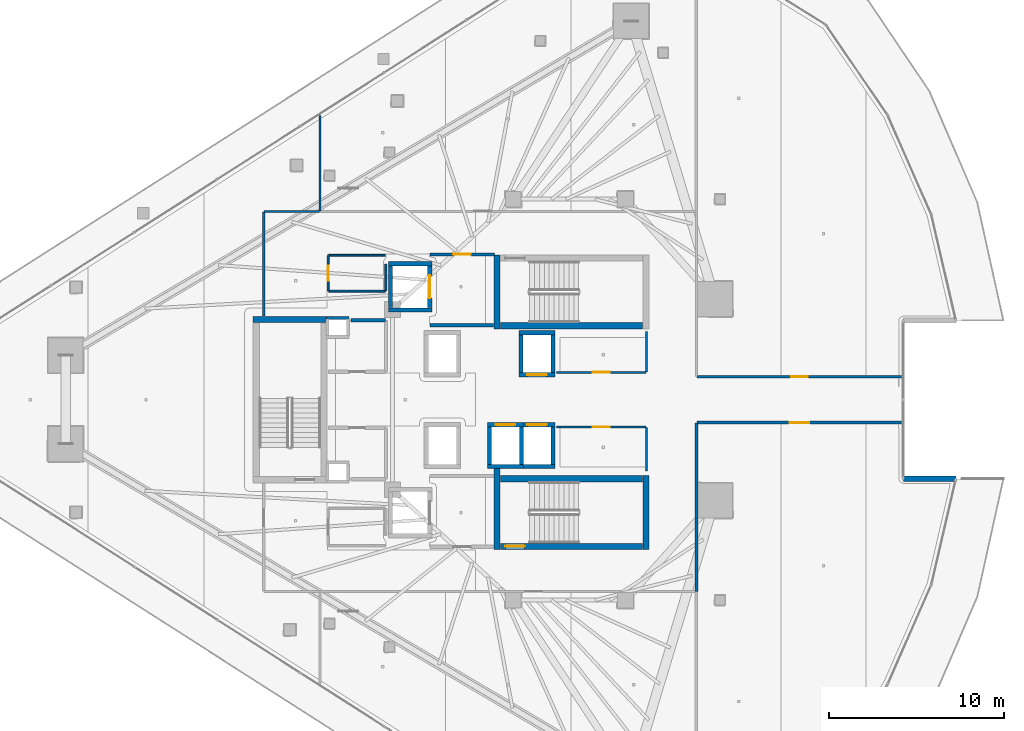
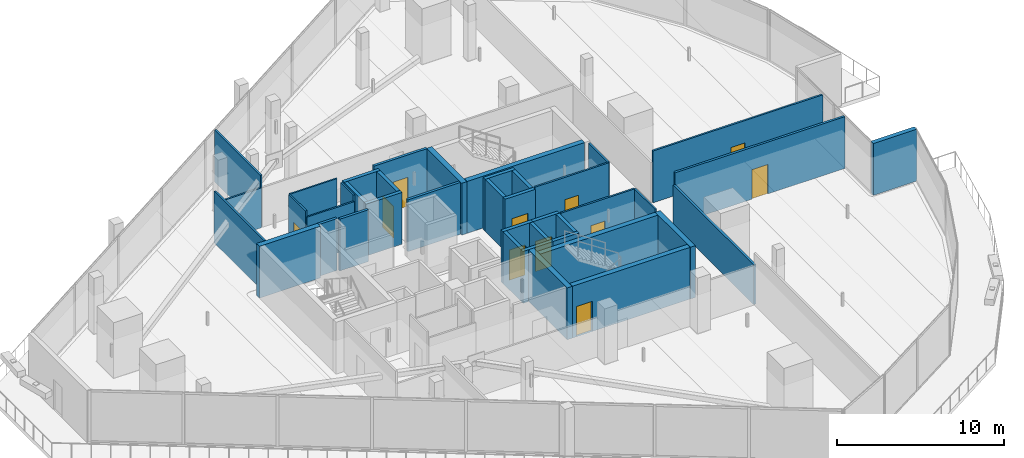
# One storey, part 28 of 39: 41 walls, 11 doors, 11 openings.
"""IFC4 building model written with IfcOpenShell, lengths in metres."""

from ifc_helpers import new_model, si_unit, direction, frame, frame_2d, origin, place, context, subcontext, project, spatial, rectangle, extrude, material, layer, layer_set, type_object, element, fill, save


model = new_model("IFC4")

# Units and contexts
model_context = context("Model", 3, precision=1e-05, world=origin(), true_north=direction((0.0, 1.0)))
body_context = subcontext(model_context, "Body", "Model", "MODEL_VIEW")
ifc_project = project(units=[si_unit("LENGTHUNIT", "METRE"), si_unit("AREAUNIT", "SQUARE_METRE"), si_unit("VOLUMEUNIT", "CUBIC_METRE"), si_unit("PLANEANGLEUNIT", "RADIAN"), si_unit("MASSUNIT", "GRAM", prefix="KILO")], contexts=[model_context])

# Site, building, storey
site_placement = place(None, origin())
site = spatial("IfcSite", under=ifc_project, at=site_placement, CompositionType="ELEMENT")
building_placement = place(site_placement, origin())
building = spatial("IfcBuilding", under=site, at=building_placement, Name="Qorvath Tower", CompositionType="ELEMENT")
storey_placement = place(building_placement, frame((0.0, 0.0, 201.0)))
storey = spatial("IfcBuildingStorey", under=building, at=storey_placement, Name="L46", CompositionType="ELEMENT", Elevation=201.0)

# Walls
ifc_material_1 = material(Name="Gypsum shaftliner on steel studs", Category="steel")
ifc_layer_1 = layer(ifc_material_1, 0.179931640625)
ifc_layer_set_1 = layer_set([ifc_layer_1], Name="FW-LOBBY")
wall_type_1 = type_object("IfcWallType", Name="FW-LOBBY", PredefinedType="PARTITIONING", material=ifc_layer_set_1)
wall_1_placement = place(storey_placement, frame((-34.260009765625, 4.675048828125, 0.0), z_axis=(0.0, 0.0, 1.0), x_axis=(1.0, 0.0, 0.0)))
element("IfcWall", 1, at=wall_1_placement, inside=storey, type_object=wall_type_1, Name="MEP Riser Shaft Enclosure Wall N-L46-N", PredefinedType="PARTITIONING", context=body_context, shape_type="SweptSolid", body=[
    extrude(rectangle(XDim=1.27001953125, YDim=0.179931640625, at=frame_2d((0.635009765625, 0.0))), origin(), (0.0, 0.0, 1.0), 3.780029296875),
])
wall_2_placement = place(storey_placement, frame((-28.35498046875, 4.25, 0.0), z_axis=(0.0, 0.0, 1.0), x_axis=(1.0, 0.0, 0.0)))
element("IfcWall", 2, at=wall_2_placement, inside=storey, type_object=wall_type_1, Name="Interior Partition IW-T1-L46-001", PredefinedType="PARTITIONING", context=body_context, shape_type="SweptSolid", body=[
    extrude(rectangle(XDim=3.6220703125, YDim=0.179931640625, at=frame_2d((1.81103515625, 0.0))), origin(), (0.0, 0.0, 1.0), 3.780029296875),
])

# Wall, opening, door
wall_3_placement = place(storey_placement, frame((-24.68408203125, 8.300048828125, 0.0), z_axis=(0.0, 0.0, 1.0), x_axis=(-1.0, 0.0, 0.0)))
wall_3 = element("IfcWall", 3, at=wall_3_placement, inside=storey, type_object=wall_type_1, Name="Interior Partition IW-T1-L46-002", PredefinedType="PARTITIONING", context=body_context, shape_type="SweptSolid", body=[
    extrude(rectangle(XDim=3.6708984375, YDim=0.179931640625, at=frame_2d((1.83544921875, 0.0))), origin(), (0.0, 0.0, 1.0), 3.780029296875),
])
opening_1_placement = place(wall_3_placement, frame((1.33544921875, 0.0, 0.0)))
opening_1 = element("IfcOpeningElement", 4, at=opening_1_placement, cuts=wall_3, Name="Opening D-T1-L46-12", PredefinedType="OPENING", context=body_context, shape_type="SweptSolid", body=[
    extrude(rectangle(XDim=1.0, YDim=2.14990234375, at=frame_2d((0.5, 1.074951171875))), frame((0.0, 0.10009765625, 0.0), z_axis=(0.0, -1.0, 0.0), x_axis=(1.0, 0.0, 0.0)), (0.0, 0.0, 1.0), 0.199951171875),
])
ifc_material_2 = material(Name="Painted galvanised hollow metal", Category="steel")
door_type_1 = type_object("IfcDoorType", Name="FD-60", OperationType="NOTDEFINED", PredefinedType="DOOR", material=ifc_material_2)
door_1_placement = place(opening_1_placement, origin())
door_1 = element("IfcDoor", 5, at=door_1_placement, inside=storey, type_object=door_type_1, Name="Lobby Fire Service Elevator North Door D-T1-L46-12", OperationType="SINGLE_SWING_LEFT", OverallHeight=2.14990234375, OverallWidth=1.0, PredefinedType="DOOR", context=body_context, shape_type="SweptSolid", body=[
    extrude(rectangle(XDim=1.0, YDim=2.14990234375, at=frame_2d((0.5, 1.074951171875))), frame((0.0, 0.02490234375, 0.0), z_axis=(0.0, -1.0, 0.0), x_axis=(1.0, 0.0, 0.0)), (0.0, 0.0, 1.0), 0.050048828125),
])
fill(opening_1, door_1)

# Wall
wall_4_placement = place(storey_placement, frame((-30.90478515625, 4.5400390625, 0.0), z_axis=(0.0, 0.0, 1.0), x_axis=(-1.0, 0.0, 0.0)))
element("IfcWall", 6, at=wall_4_placement, inside=storey, type_object=wall_type_1, Name="Interior Partition IW-T1-L46-019", PredefinedType="PARTITIONING", context=body_context, shape_type="SweptSolid", body=[
    extrude(rectangle(XDim=1.97509765625, YDim=0.179931640625, at=frame_2d((0.987548828125, 0.0))), origin(), (0.0, 0.0, 1.0), 3.780029296875),
])

# Wall, opening, door
ifc_material_3 = material(Name="Double acoustic gypsum board on steel studs", Category="steel")
ifc_layer_2 = layer(ifc_material_3, 0.159912109375)
ifc_layer_set_2 = layer_set([ifc_layer_2], Name="IW-ACOUSTIC-160")
wall_type_2 = type_object("IfcWallType", Name="IW-ACOUSTIC-160", PredefinedType="PARTITIONING", material=ifc_layer_set_2)
wall_5_placement = place(storey_placement, frame((-1.4091796875, -1.30810546875, 0.0), z_axis=(0.0, 0.0, 1.0), x_axis=(-1.0, 0.0, 0.0)))
wall_5 = element("IfcWall", 7, at=wall_5_placement, inside=storey, type_object=wall_type_2, Name="Interior Partition IW-T1-L46-035", PredefinedType="PARTITIONING", context=body_context, shape_type="SweptSolid", body=[
    extrude(rectangle(XDim=11.7080078125, YDim=0.159912109375, at=frame_2d((5.85400390625, 0.0))), origin(), (0.0, 0.0, 1.0), 3.780029296875),
])
opening_2_placement = place(wall_5_placement, frame((5.303955078125, 0.0, 0.0)))
opening_2 = element("IfcOpeningElement", 8, at=opening_2_placement, cuts=wall_5, Name="Opening D-T1-L46-11", PredefinedType="OPENING", context=body_context, shape_type="SweptSolid", body=[
    extrude(rectangle(XDim=1.10009765625, YDim=2.14990234375, at=frame_2d((0.550048828125, 1.074951171875))), frame((0.0, 0.08984375, 0.0), z_axis=(0.0, -1.0, 0.0), x_axis=(1.0, 0.0, 0.0)), (0.0, 0.0, 1.0), 0.179931640625),
])
ifc_material_4 = material(Name="Anodised aluminium acoustic framed glass", Category="aluminium")
door_type_2 = type_object("IfcDoorType", Name="D-03", OperationType="NOTDEFINED", PredefinedType="DOOR", material=ifc_material_4)
door_2_placement = place(opening_2_placement, origin())
door_2 = element("IfcDoor", 9, at=door_2_placement, inside=storey, type_object=door_type_2, Name="L46-05 Client Services Office Door D-T1-L46-11", OperationType="SINGLE_SWING_RIGHT", OverallHeight=2.14990234375, OverallWidth=1.10009765625, PredefinedType="DOOR", context=body_context, shape_type="SweptSolid", body=[
    extrude(rectangle(XDim=1.10009765625, YDim=2.14990234375, at=frame_2d((0.550048828125, 1.074951171875))), frame((0.0, 0.02490234375, 0.0), z_axis=(0.0, -1.0, 0.0), x_axis=(1.0, 0.0, 0.0)), (0.0, 0.0, 1.0), 0.050048828125),
])
fill(opening_2, door_2)

# Wall
wall_6_placement = place(storey_placement, frame((-13.14208984375, -1.3330078125, 0.0), z_axis=(0.0, 0.0, 1.0), x_axis=(0.0, -1.0, 0.0)))
element("IfcWall", 10, at=wall_6_placement, inside=storey, type_object=wall_type_2, Name="Interior Partition IW-T1-L46-036", PredefinedType="PARTITIONING", context=body_context, shape_type="SweptSolid", body=[
    extrude(rectangle(XDim=9.625, YDim=0.159912109375, at=frame_2d((4.8125, 0.0))), origin(), (0.0, 0.0, 1.0), 2.89990234375),
])

# Wall, opening, door
ifc_material_5 = material(Name="Gypsum board on metal studs with mineral wool", Category="gypsum")
ifc_layer_3 = layer(ifc_material_5, 0.125)
ifc_layer_set_3 = layer_set([ifc_layer_3], Name="IW-PART-125")
wall_type_3 = type_object("IfcWallType", Name="IW-PART-125", PredefinedType="PARTITIONING", material=ifc_layer_set_3)
wall_7_placement = place(storey_placement, frame((-21.1337890625, 1.56005859375, 0.0), z_axis=(0.0, 0.0, 1.0), x_axis=(1.0, 0.0, 0.0)))
wall_7 = element("IfcWall", 11, at=wall_7_placement, inside=storey, type_object=wall_type_3, Name="Interior Partition IW-T1-L46-013", PredefinedType="PARTITIONING", context=body_context, shape_type="SweptSolid", body=[
    extrude(rectangle(XDim=5.10888671875, YDim=0.125, at=frame_2d((2.554443359375, 0.0))), origin(), (0.0, 0.0, 1.0), 3.780029296875),
])
opening_3_placement = place(wall_7_placement, frame((2.079345703125, 0.0, 0.0)))
opening_3 = element("IfcOpeningElement", 12, at=opening_3_placement, cuts=wall_7, Name="Opening D-T1-L46-03", PredefinedType="OPENING", context=body_context, shape_type="SweptSolid", body=[
    extrude(rectangle(XDim=0.949951171875, YDim=2.14990234375, at=frame_2d((0.47509765625, 1.074951171875))), frame((0.0, 0.072509765625, 0.0), z_axis=(0.0, -1.0, 0.0), x_axis=(1.0, 0.0, 0.0)), (0.0, 0.0, 1.0), 0.14501953125),
])
ifc_material_6 = material(Name="Solid-core American white oak veneer", Category="wood")
door_type_3 = type_object("IfcDoorType", Name="D-01", OperationType="NOTDEFINED", PredefinedType="DOOR", material=ifc_material_6)
door_3_placement = place(opening_3_placement, origin())
door_3 = element("IfcDoor", 13, at=door_3_placement, inside=storey, type_object=door_type_3, Name="L46-RCN North Quantitative Server Room Door D-T1-L46-03", OperationType="SINGLE_SWING_RIGHT", OverallHeight=2.14990234375, OverallWidth=0.949951171875, PredefinedType="DOOR", context=body_context, shape_type="SweptSolid", body=[
    extrude(rectangle(XDim=0.949951171875, YDim=2.14990234375, at=frame_2d((0.47509765625, 1.074951171875))), frame((0.0, 0.02490234375, 0.0), z_axis=(0.0, -1.0, 0.0), x_axis=(1.0, 0.0, 0.0)), (0.0, 0.0, 1.0), 0.050048828125),
])
fill(opening_3, door_3)

# Walls
wall_8_placement = place(storey_placement, frame((-16.0, 1.585205078125, 0.0), z_axis=(0.0, 0.0, 1.0), x_axis=(0.0, 1.0, 0.0)))
element("IfcWall", 14, at=wall_8_placement, inside=storey, type_object=wall_type_3, Name="Interior Partition IW-T1-L46-014", PredefinedType="PARTITIONING", context=body_context, shape_type="SweptSolid", body=[
    extrude(rectangle(XDim=2.30224609375, YDim=0.125, at=frame_2d((1.151123046875, 0.0))), origin(), (0.0, 0.0, 1.0), 3.780029296875),
])
wall_9_placement = place(storey_placement, frame((-16.0, -4.0751953125, 0.0), z_axis=(0.0, 0.0, 1.0), x_axis=(0.0, 1.0, 0.0)))
element("IfcWall", 15, at=wall_9_placement, inside=storey, type_object=wall_type_3, Name="Interior Partition IW-T1-L46-015", PredefinedType="PARTITIONING", context=body_context, shape_type="SweptSolid", body=[
    extrude(rectangle(XDim=2.489990234375, YDim=0.125, at=frame_2d((1.2451171875, 0.0))), origin(), (0.0, 0.0, 1.0), 3.780029296875),
])

# Wall, opening, door
wall_10_placement = place(storey_placement, frame((-16.02490234375, -1.56005859375, 0.0), z_axis=(0.0, 0.0, 1.0), x_axis=(-1.0, 0.0, 0.0)))
wall_10 = element("IfcWall", 16, at=wall_10_placement, inside=storey, type_object=wall_type_3, Name="Interior Partition IW-T1-L46-016", PredefinedType="PARTITIONING", context=body_context, shape_type="SweptSolid", body=[
    extrude(rectangle(XDim=5.10888671875, YDim=0.125, at=frame_2d((2.554443359375, 0.0))), origin(), (0.0, 0.0, 1.0), 3.780029296875),
])
opening_4_placement = place(wall_10_placement, frame((2.079345703125, 0.0, 0.0)))
opening_4 = element("IfcOpeningElement", 17, at=opening_4_placement, cuts=wall_10, Name="Opening D-T1-L46-04", PredefinedType="OPENING", context=body_context, shape_type="SweptSolid", body=[
    extrude(rectangle(XDim=0.949951171875, YDim=2.14990234375, at=frame_2d((0.47509765625, 1.074951171875))), frame((0.0, 0.072509765625, 0.0), z_axis=(0.0, -1.0, 0.0), x_axis=(1.0, 0.0, 0.0)), (0.0, 0.0, 1.0), 0.14501953125),
])
door_4_placement = place(opening_4_placement, origin())
door_4 = element("IfcDoor", 18, at=door_4_placement, inside=storey, type_object=door_type_3, Name="L46-RCS South Quantitative Server Room Door D-T1-L46-04", OperationType="SINGLE_SWING_LEFT", OverallHeight=2.14990234375, OverallWidth=0.949951171875, PredefinedType="DOOR", context=body_context, shape_type="SweptSolid", body=[
    extrude(rectangle(XDim=0.949951171875, YDim=2.14990234375, at=frame_2d((0.47509765625, 1.074951171875))), frame((0.0, 0.02490234375, 0.0), z_axis=(0.0, -1.0, 0.0), x_axis=(1.0, 0.0, 0.0)), (0.0, 0.0, 1.0), 0.050048828125),
])
fill(opening_4, door_4)

# Walls
wall_11_placement = place(storey_placement, frame((-37.85791015625, 4.783203125, 0.0), z_axis=(0.0, 0.0, 1.0), x_axis=(0.0, 1.0, 0.0)))
element("IfcWall", 19, at=wall_11_placement, inside=storey, type_object=wall_type_3, Name="Interior Partition IW-T1-L46-026", PredefinedType="PARTITIONING", context=body_context, shape_type="SweptSolid", body=[
    extrude(rectangle(XDim=5.949951171875, YDim=0.125, at=frame_2d((2.97509765625, 0.0))), origin(), (0.0, 0.0, 1.0), 3.780029296875),
])
wall_12_placement = place(storey_placement, frame((-34.6748046875, 10.758056640625, 0.0), z_axis=(0.0, 0.0, 1.0), x_axis=(-1.0, 0.0, 0.0)))
element("IfcWall", 20, at=wall_12_placement, inside=storey, type_object=wall_type_3, Name="Interior Partition IW-T1-L46-027", PredefinedType="PARTITIONING", context=body_context, shape_type="SweptSolid", body=[
    extrude(rectangle(XDim=3.158203125, YDim=0.125, at=frame_2d((1.5791015625, 0.0))), origin(), (0.0, 0.0, 1.0), 2.89990234375),
])
wall_13_placement = place(storey_placement, frame((-34.64990234375, 10.783203125, 0.0), z_axis=(0.0, 0.0, 1.0), x_axis=(0.0, 1.0, 0.0)))
element("IfcWall", 21, at=wall_13_placement, inside=storey, type_object=wall_type_3, Name="Interior Partition IW-T1-L46-028", PredefinedType="PARTITIONING", context=body_context, shape_type="SweptSolid", body=[
    extrude(rectangle(XDim=5.462890625, YDim=0.125, at=frame_2d((2.7314453125, 0.0))), origin(), (0.0, 0.0, 1.0), 3.780029296875),
])

# Wall, opening, door
wall_14_placement = place(storey_placement, frame((-13.1171875, 1.30810546875, 0.0), z_axis=(0.0, 0.0, 1.0), x_axis=(1.0, 0.0, 0.0)))
wall_14 = element("IfcWall", 22, at=wall_14_placement, inside=storey, type_object=wall_type_3, Name="Interior Partition IW-T1-L46-034", PredefinedType="PARTITIONING", context=body_context, shape_type="SweptSolid", body=[
    extrude(rectangle(XDim=11.7080078125, YDim=0.125, at=frame_2d((5.85400390625, 0.0))), origin(), (0.0, 0.0, 1.0), 3.780029296875),
])
opening_5_placement = place(wall_14_placement, frame((5.37890625, 0.0, 0.0)))
opening_5 = element("IfcOpeningElement", 23, at=opening_5_placement, cuts=wall_14, Name="Opening D-T1-L46-10", PredefinedType="OPENING", context=body_context, shape_type="SweptSolid", body=[
    extrude(rectangle(XDim=0.949951171875, YDim=2.14990234375, at=frame_2d((0.47509765625, 1.074951171875))), frame((0.0, 0.072509765625, 0.0), z_axis=(0.0, -1.0, 0.0), x_axis=(1.0, 0.0, 0.0)), (0.0, 0.0, 1.0), 0.14501953125),
])
door_5_placement = place(opening_5_placement, origin())
door_5 = element("IfcDoor", 24, at=door_5_placement, inside=storey, type_object=door_type_3, Name="L46-04 Design Pin-Up Atelier Door D-T1-L46-10", OperationType="SINGLE_SWING_LEFT", OverallHeight=2.14990234375, OverallWidth=0.949951171875, PredefinedType="DOOR", context=body_context, shape_type="SweptSolid", body=[
    extrude(rectangle(XDim=0.949951171875, YDim=2.14990234375, at=frame_2d((0.47509765625, 1.074951171875))), frame((0.0, 0.02490234375, 0.0), z_axis=(0.0, -1.0, 0.0), x_axis=(1.0, 0.0, 0.0)), (0.0, 0.0, 1.0), 0.050048828125),
])
fill(opening_5, door_5)

ifc_material_7 = material(Name="Moisture-resistant cement board on metal studs", Category="gypsum")
ifc_layer_4 = layer(ifc_material_7, 0.110107421875)
ifc_layer_set_4 = layer_set([ifc_layer_4], Name="IW-WC-110")
wall_type_4 = type_object("IfcWallType", Name="IW-WC-110", PredefinedType="PARTITIONING", material=ifc_layer_set_4)
wall_15_placement = place(storey_placement, frame((-34.179931640625, 8.22509765625, 0.0), z_axis=(0.0, 0.0, 1.0), x_axis=(0.0, -1.0, 0.0)))
wall_15 = element("IfcWall", 25, at=wall_15_placement, inside=storey, type_object=wall_type_4, Name="Interior Partition IW-T1-L46-005", PredefinedType="PARTITIONING", context=body_context, shape_type="SweptSolid", body=[
    extrude(rectangle(XDim=2.0, YDim=0.110107421875, at=frame_2d((1.0, 0.0))), origin(), (0.0, 0.0, 1.0), 3.780029296875),
])
opening_6_placement = place(wall_15_placement, frame((0.56005859375, 0.0, 0.0)))
opening_6 = element("IfcOpeningElement", 26, at=opening_6_placement, cuts=wall_15, Name="Opening D-T1-L46-01", PredefinedType="OPENING", context=body_context, shape_type="SweptSolid", body=[
    extrude(rectangle(XDim=0.8798828125, YDim=2.10009765625, at=frame_2d((0.43994140625, 1.050048828125))), frame((0.0, 0.06494140625, 0.0), z_axis=(0.0, -1.0, 0.0), x_axis=(1.0, 0.0, 0.0)), (0.0, 0.0, 1.0), 0.130126953125),
])
ifc_material_8 = material(Name="Solid-core oak with acoustic drop seal", Category="wood")
door_type_4 = type_object("IfcDoorType", Name="D-02", OperationType="NOTDEFINED", PredefinedType="DOOR", material=ifc_material_8)
door_6_placement = place(opening_6_placement, origin())
door_6 = element("IfcDoor", 27, at=door_6_placement, inside=storey, type_object=door_type_4, Name="WC All-Gender North L46 Door D-T1-L46-01", OperationType="SINGLE_SWING_RIGHT", OverallHeight=2.10009765625, OverallWidth=0.8798828125, PredefinedType="DOOR", context=body_context, shape_type="SweptSolid", body=[
    extrude(rectangle(XDim=0.8798828125, YDim=2.10009765625, at=frame_2d((0.43994140625, 1.050048828125))), frame((0.0, 0.02490234375, 0.0), z_axis=(0.0, -1.0, 0.0), x_axis=(1.0, 0.0, 0.0)), (0.0, 0.0, 1.0), 0.050048828125),
])
fill(opening_6, door_6)

# Walls
wall_16_placement = place(storey_placement, frame((-34.15478515625, 6.199951171875, 0.0), z_axis=(0.0, 0.0, 1.0), x_axis=(1.0, 0.0, 0.0)))
element("IfcWall", 28, at=wall_16_placement, inside=storey, type_object=wall_type_4, Name="Interior Partition IW-T1-L46-006", PredefinedType="PARTITIONING", context=body_context, shape_type="SweptSolid", body=[
    extrude(rectangle(XDim=3.25, YDim=0.110107421875, at=frame_2d((1.625, 0.0))), origin(), (0.0, 0.0, 1.0), 3.34375),
])
wall_17_placement = place(storey_placement, frame((-30.8798828125, 6.22509765625, 0.0), z_axis=(0.0, 0.0, 1.0), x_axis=(0.0, 1.0, 0.0)))
element("IfcWall", 29, at=wall_17_placement, inside=storey, type_object=wall_type_4, Name="Interior Partition IW-T1-L46-007", PredefinedType="PARTITIONING", context=body_context, shape_type="SweptSolid", body=[
    extrude(rectangle(XDim=1.517822265625, YDim=0.110107421875, at=frame_2d((0.7587890625, 0.0))), origin(), (0.0, 0.0, 1.0), 3.780029296875),
])
wall_18_placement = place(storey_placement, frame((-30.90478515625, 8.25, 0.0), z_axis=(0.0, 0.0, 1.0), x_axis=(-1.0, 0.0, 0.0)))
element("IfcWall", 30, at=wall_18_placement, inside=storey, type_object=wall_type_4, Name="Interior Partition IW-T1-L46-008", PredefinedType="PARTITIONING", context=body_context, shape_type="SweptSolid", body=[
    extrude(rectangle(XDim=3.25, YDim=0.110107421875, at=frame_2d((1.625, 0.0))), origin(), (0.0, 0.0, 1.0), 3.780029296875),
])
ifc_material_9 = material(Name="Concrete C60/75", Category="concrete")
ifc_layer_5 = layer(ifc_material_9, 0.260009765625)
ifc_layer_set_5 = layer_set([ifc_layer_5], Name="SW-SHAFT")
wall_type_5 = type_object("IfcWallType", Name="SW-SHAFT", PredefinedType="SHEAR", material=ifc_layer_set_5)
for number, where, z_axis, x_axis, name in (
    (31, (-28.260009765625, 5.1298828125, 0.0), (0.0, 0.0, 1.0), (-1.0, 0.0, 0.0), "Hoistway Wall FSAE-1 L46 S"),
    (32, (-30.739990234375, 7.77001953125, 0.0), (0.0, 0.0, 1.0), (1.0, 0.0, 0.0), "Hoistway Wall FSAE-1 L46 N"),
):
    element("IfcWall", number, at=place(storey_placement, frame(where, z_axis=z_axis, x_axis=x_axis)), inside=storey, type_object=wall_type_5, Name=name, PredefinedType="SHEAR", context=body_context, shape_type="SweptSolid", body=[
        extrude(rectangle(XDim=2.47998046875, YDim=0.239990234375, at=frame_2d((1.239990234375, 0.0))), origin(), (0.0, 0.0, 1.0), 3.780029296875),
    ])
wall_19_placement = place(storey_placement, frame((-30.6201171875, 5.261962890625, 0.0), z_axis=(0.0, 0.0, 1.0), x_axis=(0.0, 1.0, 0.0)))
element("IfcWall", 33, at=wall_19_placement, inside=storey, type_object=wall_type_5, Name="Hoistway Wall FSAE-1 L46 W", PredefinedType="SHEAR", context=body_context, shape_type="SweptSolid", body=[
    extrude(rectangle(XDim=2.3759765625, YDim=0.239990234375, at=frame_2d((1.18798828125, 0.0))), origin(), (0.0, 0.0, 1.0), 3.780029296875),
])

# Wall, opening, door
wall_20_placement = place(storey_placement, frame((-28.3798828125, 7.637939453125, 0.0), z_axis=(0.0, 0.0, 1.0), x_axis=(0.0, -1.0, 0.0)))
wall_20 = element("IfcWall", 34, at=wall_20_placement, inside=storey, type_object=wall_type_5, Name="Hoistway Wall FSAE-1 L46 E", PredefinedType="SHEAR", context=body_context, shape_type="SweptSolid", body=[
    extrude(rectangle(XDim=2.3759765625, YDim=0.239990234375, at=frame_2d((1.18798828125, 0.0))), origin(), (0.0, 0.0, 1.0), 3.780029296875),
])
opening_7_placement = place(wall_20_placement, frame((0.537841796875, 0.0, 0.0)))
opening_7 = element("IfcOpeningElement", 35, at=opening_7_placement, cuts=wall_20, Name="Opening LD-FSAE-1-L46", PredefinedType="OPENING", context=body_context, shape_type="SweptSolid", body=[
    extrude(rectangle(XDim=1.300048828125, YDim=2.300048828125, at=frame_2d((0.64990234375, 1.14990234375))), frame((0.0, 0.1298828125, 0.0), z_axis=(0.0, -1.0, 0.0), x_axis=(1.0, 0.0, 0.0)), (0.0, 0.0, 1.0), 0.260009765625),
])
ifc_material_10 = material(Name="Brushed stainless steel AISI 316", Category="steel")
door_type_5 = type_object("IfcDoorType", Name="LD-02", OperationType="NOTDEFINED", PredefinedType="DOOR", material=ifc_material_10)
door_7_placement = place(opening_7_placement, origin())
door_7 = element("IfcDoor", 36, at=door_7_placement, inside=storey, type_object=door_type_5, Name="Elevator Landing Sliding Door LD-FSAE-1-L46", OperationType="DOUBLE_DOOR_SLIDING", OverallHeight=2.300048828125, OverallWidth=1.300048828125, PredefinedType="DOOR", context=body_context, shape_type="SweptSolid", body=[
    extrude(rectangle(XDim=1.300048828125, YDim=2.300048828125, at=frame_2d((0.64990234375, 1.14990234375))), frame((0.0, 0.02490234375, 0.0), z_axis=(0.0, -1.0, 0.0), x_axis=(1.0, 0.0, 0.0)), (0.0, 0.0, 1.0), 0.050048828125),
])
fill(opening_7, door_7)

wall_21_placement = place(storey_placement, frame((-21.2099609375, 1.429931640625, 0.0), z_axis=(0.0, 0.0, 1.0), x_axis=(-1.0, 0.0, 0.0)))
wall_21 = element("IfcWall", 37, at=wall_21_placement, inside=storey, type_object=wall_type_5, Name="Hoistway Wall PU-1 L46 S", PredefinedType="SHEAR", context=body_context, shape_type="SweptSolid", body=[
    extrude(rectangle(XDim=2.080078125, YDim=0.239990234375, at=frame_2d((1.0400390625, 0.0))), origin(), (0.0, 0.0, 1.0), 3.780029296875),
])
opening_8_placement = place(wall_21_placement, frame((0.489990234375, 0.0, 0.0)))
opening_8 = element("IfcOpeningElement", 38, at=opening_8_placement, cuts=wall_21, Name="Opening LD-PU-1-L46", PredefinedType="OPENING", context=body_context, shape_type="SweptSolid", body=[
    extrude(rectangle(XDim=1.10009765625, YDim=2.199951171875, at=frame_2d((0.550048828125, 1.10009765625))), frame((0.0, 0.1298828125, 0.0), z_axis=(0.0, -1.0, 0.0), x_axis=(1.0, 0.0, 0.0)), (0.0, 0.0, 1.0), 0.260009765625),
])
ifc_material_11 = material(Name="Brushed stainless steel AISI 316", Category="steel")
door_type_6 = type_object("IfcDoorType", Name="LD-01", OperationType="NOTDEFINED", PredefinedType="DOOR", material=ifc_material_11)
door_8_placement = place(opening_8_placement, origin())
door_8 = element("IfcDoor", 39, at=door_8_placement, inside=storey, type_object=door_type_6, Name="Elevator Landing Sliding Door LD-PU-1-L46", OperationType="DOUBLE_DOOR_SLIDING", OverallHeight=2.199951171875, OverallWidth=1.10009765625, PredefinedType="DOOR", context=body_context, shape_type="SweptSolid", body=[
    extrude(rectangle(XDim=1.10009765625, YDim=2.199951171875, at=frame_2d((0.550048828125, 1.10009765625))), frame((0.0, 0.02490234375, 0.0), z_axis=(0.0, -1.0, 0.0), x_axis=(1.0, 0.0, 0.0)), (0.0, 0.0, 1.0), 0.050048828125),
])
fill(opening_8, door_8)

# Walls
wall_22_placement = place(storey_placement, frame((-23.2900390625, 3.820068359375, 0.0), z_axis=(0.0, 0.0, 1.0), x_axis=(1.0, 0.0, 0.0)))
element("IfcWall", 40, at=wall_22_placement, inside=storey, type_object=wall_type_5, Name="Hoistway Wall PU-1 L46 N", PredefinedType="SHEAR", context=body_context, shape_type="SweptSolid", body=[
    extrude(rectangle(XDim=2.080078125, YDim=0.239990234375, at=frame_2d((1.0400390625, 0.0))), origin(), (0.0, 0.0, 1.0), 3.780029296875),
])
for number, where, z_axis, x_axis, name in (
    (41, (-23.169921875, 1.56201171875, 0.0), (0.0, 0.0, 1.0), (0.0, 1.0, 0.0), "Hoistway Wall PU-1 L46 W"),
    (42, (-21.330078125, 3.68798828125, 0.0), (0.0, 0.0, 1.0), (0.0, -1.0, 0.0), "Hoistway Wall PU-1 L46 E"),
):
    element("IfcWall", number, at=place(storey_placement, frame(where, z_axis=z_axis, x_axis=x_axis)), inside=storey, type_object=wall_type_5, Name=name, PredefinedType="SHEAR", context=body_context, shape_type="SweptSolid", body=[
        extrude(rectangle(XDim=2.1259765625, YDim=0.239990234375, at=frame_2d((1.06298828125, 0.0))), origin(), (0.0, 0.0, 1.0), 3.780029296875),
    ])
wall_23_placement = place(storey_placement, frame((-23.010009765625, -3.820068359375, 0.0), z_axis=(0.0, 0.0, 1.0), x_axis=(-1.0, 0.0, 0.0)))
element("IfcWall", 43, at=wall_23_placement, inside=storey, type_object=wall_type_5, Name="Hoistway Wall PU-2 L46 S", PredefinedType="SHEAR", context=body_context, shape_type="SweptSolid", body=[
    extrude(rectangle(XDim=2.080078125, YDim=0.239990234375, at=frame_2d((1.0400390625, 0.0))), origin(), (0.0, 0.0, 1.0), 3.780029296875),
])

# Wall, opening, door
wall_24_placement = place(storey_placement, frame((-25.090087890625, -1.429931640625, 0.0), z_axis=(0.0, 0.0, 1.0), x_axis=(1.0, 0.0, 0.0)))
wall_24 = element("IfcWall", 44, at=wall_24_placement, inside=storey, type_object=wall_type_5, Name="Hoistway Wall PU-2 L46 N", PredefinedType="SHEAR", context=body_context, shape_type="SweptSolid", body=[
    extrude(rectangle(XDim=2.080078125, YDim=0.239990234375, at=frame_2d((1.0400390625, 0.0))), origin(), (0.0, 0.0, 1.0), 3.780029296875),
])
opening_9_placement = place(wall_24_placement, frame((0.489990234375, 0.0, 0.0)))
opening_9 = element("IfcOpeningElement", 45, at=opening_9_placement, cuts=wall_24, Name="Opening LD-PU-2-L46", PredefinedType="OPENING", context=body_context, shape_type="SweptSolid", body=[
    extrude(rectangle(XDim=1.10009765625, YDim=2.199951171875, at=frame_2d((0.550048828125, 1.10009765625))), frame((0.0, 0.1298828125, 0.0), z_axis=(0.0, -1.0, 0.0), x_axis=(1.0, 0.0, 0.0)), (0.0, 0.0, 1.0), 0.260009765625),
])
door_9_placement = place(opening_9_placement, origin())
door_9 = element("IfcDoor", 46, at=door_9_placement, inside=storey, type_object=door_type_6, Name="Elevator Landing Sliding Door LD-PU-2-L46", OperationType="DOUBLE_DOOR_SLIDING", OverallHeight=2.199951171875, OverallWidth=1.10009765625, PredefinedType="DOOR", context=body_context, shape_type="SweptSolid", body=[
    extrude(rectangle(XDim=1.10009765625, YDim=2.199951171875, at=frame_2d((0.550048828125, 1.10009765625))), frame((0.0, 0.02490234375, 0.0), z_axis=(0.0, -1.0, 0.0), x_axis=(1.0, 0.0, 0.0)), (0.0, 0.0, 1.0), 0.050048828125),
])
fill(opening_9, door_9)

# Walls
for number, where, z_axis, x_axis, name in (
    (47, (-24.969970703125, -3.68798828125, 0.0), (0.0, 0.0, 1.0), (0.0, 1.0, 0.0), "Hoistway Wall PU-2 L46 W"),
    (48, (-23.1298828125, -1.56201171875, 0.0), (0.0, 0.0, 1.0), (0.0, -1.0, 0.0), "Hoistway Wall PU-2 L46 E"),
):
    element("IfcWall", number, at=place(storey_placement, frame(where, z_axis=z_axis, x_axis=x_axis)), inside=storey, type_object=wall_type_5, Name=name, PredefinedType="SHEAR", context=body_context, shape_type="SweptSolid", body=[
        extrude(rectangle(XDim=2.1259765625, YDim=0.239990234375, at=frame_2d((1.06298828125, 0.0))), origin(), (0.0, 0.0, 1.0), 3.780029296875),
    ])
wall_25_placement = place(storey_placement, frame((-21.2099609375, -3.820068359375, 0.0), z_axis=(0.0, 0.0, 1.0), x_axis=(-1.0, 0.0, 0.0)))
element("IfcWall", 49, at=wall_25_placement, inside=storey, type_object=wall_type_5, Name="Hoistway Wall PU-3 L46 S", PredefinedType="SHEAR", context=body_context, shape_type="SweptSolid", body=[
    extrude(rectangle(XDim=1.800048828125, YDim=0.239990234375, at=frame_2d((0.89990234375, 0.0))), origin(), (0.0, 0.0, 1.0), 3.780029296875),
])

# Wall, opening, door
wall_26_placement = place(storey_placement, frame((-23.010009765625, -1.429931640625, 0.0), z_axis=(0.0, 0.0, 1.0), x_axis=(1.0, 0.0, 0.0)))
wall_26 = element("IfcWall", 50, at=wall_26_placement, inside=storey, type_object=wall_type_5, Name="Hoistway Wall PU-3 L46 N", PredefinedType="SHEAR", context=body_context, shape_type="SweptSolid", body=[
    extrude(rectangle(XDim=1.800048828125, YDim=0.239990234375, at=frame_2d((0.89990234375, 0.0))), origin(), (0.0, 0.0, 1.0), 3.780029296875),
])
opening_10_placement = place(wall_26_placement, frame((0.2099609375, 0.0, 0.0)))
opening_10 = element("IfcOpeningElement", 51, at=opening_10_placement, cuts=wall_26, Name="Opening LD-PU-3-L46", PredefinedType="OPENING", context=body_context, shape_type="SweptSolid", body=[
    extrude(rectangle(XDim=1.10009765625, YDim=2.199951171875, at=frame_2d((0.550048828125, 1.10009765625))), frame((0.0, 0.1298828125, 0.0), z_axis=(0.0, -1.0, 0.0), x_axis=(1.0, 0.0, 0.0)), (0.0, 0.0, 1.0), 0.260009765625),
])
door_10_placement = place(opening_10_placement, origin())
door_10 = element("IfcDoor", 52, at=door_10_placement, inside=storey, type_object=door_type_6, Name="Elevator Landing Sliding Door LD-PU-3-L46", OperationType="DOUBLE_DOOR_SLIDING", OverallHeight=2.199951171875, OverallWidth=1.10009765625, PredefinedType="DOOR", context=body_context, shape_type="SweptSolid", body=[
    extrude(rectangle(XDim=1.10009765625, YDim=2.199951171875, at=frame_2d((0.550048828125, 1.10009765625))), frame((0.0, 0.02490234375, 0.0), z_axis=(0.0, -1.0, 0.0), x_axis=(1.0, 0.0, 0.0)), (0.0, 0.0, 1.0), 0.050048828125),
])
fill(opening_10, door_10)

# Walls
wall_27_placement = place(storey_placement, frame((-21.330078125, -1.56201171875, 0.0), z_axis=(0.0, 0.0, 1.0), x_axis=(0.0, -1.0, 0.0)))
element("IfcWall", 53, at=wall_27_placement, inside=storey, type_object=wall_type_5, Name="Hoistway Wall PU-3 L46 E", PredefinedType="SHEAR", context=body_context, shape_type="SweptSolid", body=[
    extrude(rectangle(XDim=2.1259765625, YDim=0.239990234375, at=frame_2d((1.06298828125, 0.0))), origin(), (0.0, 0.0, 1.0), 3.780029296875),
])
ifc_material_12 = material(Name="Concrete C60/75", Category="concrete")
ifc_layer_6 = layer(ifc_material_12, 0.35009765625)
ifc_layer_set_6 = layer_set([ifc_layer_6], Name="SW-STAIR")
wall_type_6 = type_object("IfcWallType", Name="SW-STAIR", PredefinedType="SHEAR", material=ifc_layer_set_6)
wall_28_placement = place(storey_placement, frame((-24.52490234375, 8.260009765625, 0.0), z_axis=(0.0, 0.0, 1.0), x_axis=(0.0, -1.0, 0.0)))
element("IfcWall", 54, at=wall_28_placement, inside=storey, type_object=wall_type_6, Name="Stair TS1 Shear Wall L46 NEAR", PredefinedType="SHEAR", context=body_context, shape_type="SweptSolid", body=[
    extrude(rectangle(XDim=4.2099609375, YDim=0.35009765625, at=frame_2d((2.10498046875, 0.0))), origin(), (0.0, 0.0, 1.0), 3.780029296875),
])
wall_29_placement = place(storey_placement, frame((-24.3349609375, 4.22509765625, 0.0), z_axis=(0.0, 0.0, 1.0), x_axis=(1.0, 0.0, 0.0)))
element("IfcWall", 55, at=wall_29_placement, inside=storey, type_object=wall_type_6, Name="Stair TS1 Shear Wall L46 LEFT", PredefinedType="SHEAR", context=body_context, shape_type="SweptSolid", body=[
    extrude(rectangle(XDim=8.119873046875, YDim=0.35009765625, at=frame_2d((4.06005859375, 0.0))), origin(), (0.0, 0.0, 1.0), 3.780029296875),
])
wall_30_placement = place(storey_placement, frame((-24.52490234375, -3.93994140625, 0.0), z_axis=(0.0, 0.0, 1.0), x_axis=(0.0, -1.0, 0.0)))
element("IfcWall", 56, at=wall_30_placement, inside=storey, type_object=wall_type_6, Name="Stair TS2 Shear Wall L46 NEAR", PredefinedType="SHEAR", context=body_context, shape_type="SweptSolid", body=[
    extrude(rectangle(XDim=4.610107421875, YDim=0.35009765625, at=frame_2d((2.30517578125, 0.0))), origin(), (0.0, 0.0, 1.0), 3.780029296875),
])
wall_31_placement = place(storey_placement, frame((-16.02490234375, -8.550048828125, 0.0), z_axis=(0.0, 0.0, 1.0), x_axis=(0.0, 1.0, 0.0)))
element("IfcWall", 57, at=wall_31_placement, inside=storey, type_object=wall_type_6, Name="Stair TS2 Shear Wall L46 FAR", PredefinedType="SHEAR", context=body_context, shape_type="SweptSolid", body=[
    extrude(rectangle(XDim=4.2099609375, YDim=0.35009765625, at=frame_2d((2.10498046875, 0.0))), origin(), (0.0, 0.0, 1.0), 3.780029296875),
])

# Wall, opening, door
wall_32_placement = place(storey_placement, frame((-24.3349609375, -8.375, 0.0), z_axis=(0.0, 0.0, 1.0), x_axis=(1.0, 0.0, 0.0)))
wall_32 = element("IfcWall", 58, at=wall_32_placement, inside=storey, type_object=wall_type_6, Name="Stair TS2 Shear Wall L46 LEFT", PredefinedType="SHEAR", context=body_context, shape_type="SweptSolid", body=[
    extrude(rectangle(XDim=8.119873046875, YDim=0.35009765625, at=frame_2d((4.06005859375, 0.0))), origin(), (0.0, 0.0, 1.0), 3.780029296875),
])
opening_11_placement = place(wall_32_placement, frame((0.280029296875, 0.0, 0.0)))
opening_11 = element("IfcOpeningElement", 59, at=opening_11_placement, cuts=wall_32, Name="Opening D-TS2-L46", PredefinedType="OPENING", context=body_context, shape_type="SweptSolid", body=[
    extrude(rectangle(XDim=1.10009765625, YDim=2.199951171875, at=frame_2d((0.550048828125, 1.10009765625))), frame((0.0, 0.18505859375, 0.0), z_axis=(0.0, -1.0, 0.0), x_axis=(1.0, 0.0, 0.0)), (0.0, 0.0, 1.0), 0.3701171875),
])
ifc_material_13 = material(Name="Painted galvanised hollow metal", Category="steel")
door_type_7 = type_object("IfcDoorType", Name="FD-90", OperationType="NOTDEFINED", PredefinedType="DOOR", material=ifc_material_13)
door_11_placement = place(opening_11_placement, origin())
door_11 = element("IfcDoor", 60, at=door_11_placement, inside=storey, type_object=door_type_7, Name="Stair TS2 Fire Door L46", OperationType="SINGLE_SWING_LEFT", OverallHeight=2.199951171875, OverallWidth=1.10009765625, PredefinedType="DOOR", context=body_context, shape_type="SweptSolid", body=[
    extrude(rectangle(XDim=1.10009765625, YDim=2.199951171875, at=frame_2d((0.550048828125, 1.10009765625))), frame((0.0, 0.02490234375, 0.0), z_axis=(0.0, -1.0, 0.0), x_axis=(1.0, 0.0, 0.0)), (0.0, 0.0, 1.0), 0.050048828125),
])
fill(opening_11, door_11)

# Walls
wall_33_placement = place(storey_placement, frame((-16.215087890625, -4.514892578125, 0.0), z_axis=(0.0, 0.0, 1.0), x_axis=(-1.0, 0.0, 0.0)))
element("IfcWall", 61, at=wall_33_placement, inside=storey, type_object=wall_type_6, Name="Stair TS2 Shear Wall L46 RIGHT", PredefinedType="SHEAR", context=body_context, shape_type="SweptSolid", body=[
    extrude(rectangle(XDim=8.119873046875, YDim=0.35009765625, at=frame_2d((4.06005859375, 0.0))), origin(), (0.0, 0.0, 1.0), 3.780029296875),
])
wall_34_placement = place(storey_placement, frame((-34.25, 4.574951171875, 0.0), z_axis=(0.0, 0.0, 1.0), x_axis=(-1.0, 0.0, 0.0)))
element("IfcWall", 62, at=wall_34_placement, inside=storey, type_object=wall_type_6, Name="Stair TS3 Shear Wall L46 FAR", PredefinedType="SHEAR", context=body_context, shape_type="SweptSolid", body=[
    extrude(rectangle(XDim=4.2099609375, YDim=0.35009765625, at=frame_2d((2.10498046875, 0.0))), origin(), (0.0, 0.0, 1.0), 3.780029296875),
])
ifc_material_14 = material(Name="Precast concrete C45/55", Category="concrete")
ifc_layer_7 = layer(ifc_material_14, 0.300048828125)
ifc_layer_set_7 = layer_set([ifc_layer_7], Name="WL-EW-LOG-300")
wall_type_7 = type_object("IfcWallType", Name="WL-EW-LOG-300", PredefinedType="SOLIDWALL", material=ifc_layer_set_7)
wall_35_placement = place(storey_placement, frame((1.68408203125, -4.519775390625, 0.0), z_axis=(0.0, 0.0, 1.0), x_axis=(-1.0, 0.0, 0.0)))
element("IfcWall", 63, at=wall_35_placement, inside=storey, type_object=wall_type_7, Name="Tower Precast Loggia Wall L46-8.1", PredefinedType="SOLIDWALL", context=body_context, shape_type="SweptSolid", body=[
    extrude(rectangle(XDim=3.01318359375, YDim=0.300048828125, at=frame_2d((1.506591796875, 0.0))), origin(), (0.0, 0.0, 1.0), 3.780029296875),
])

save(model, "model.ifc")
